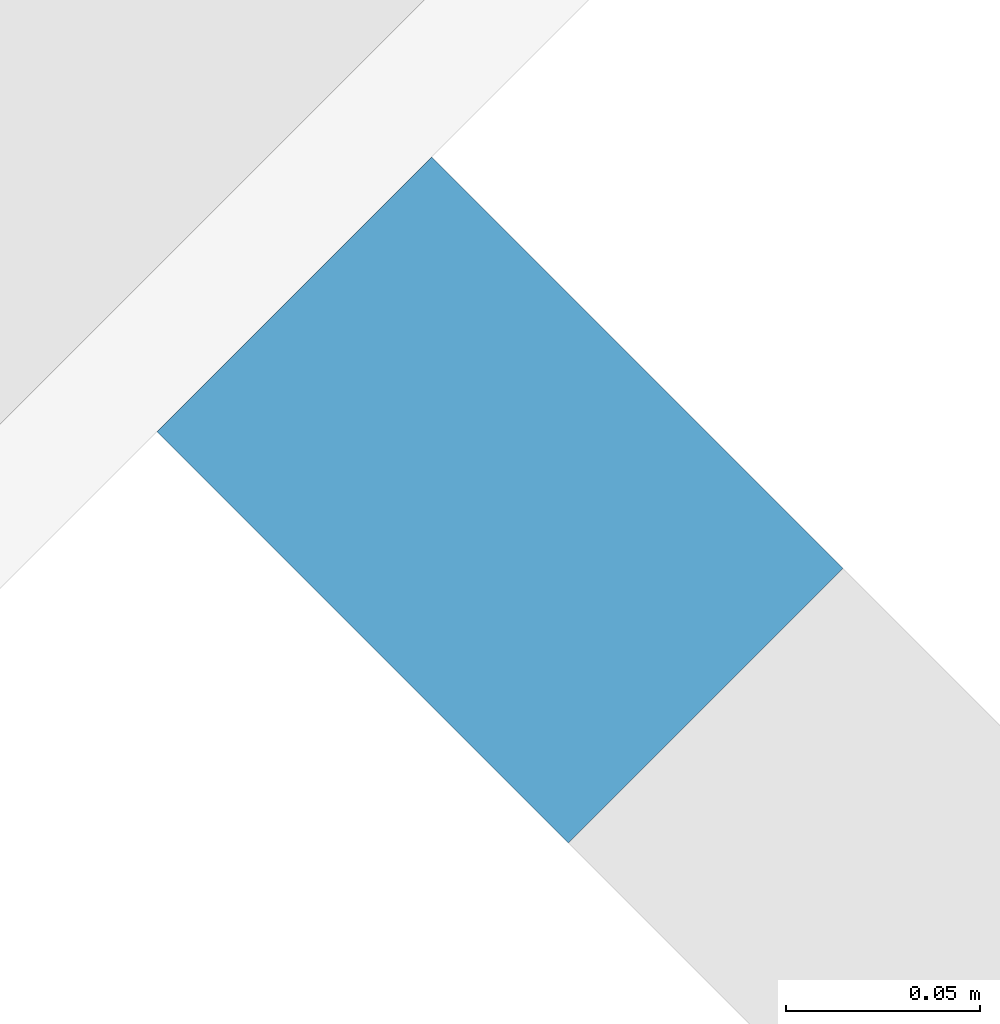
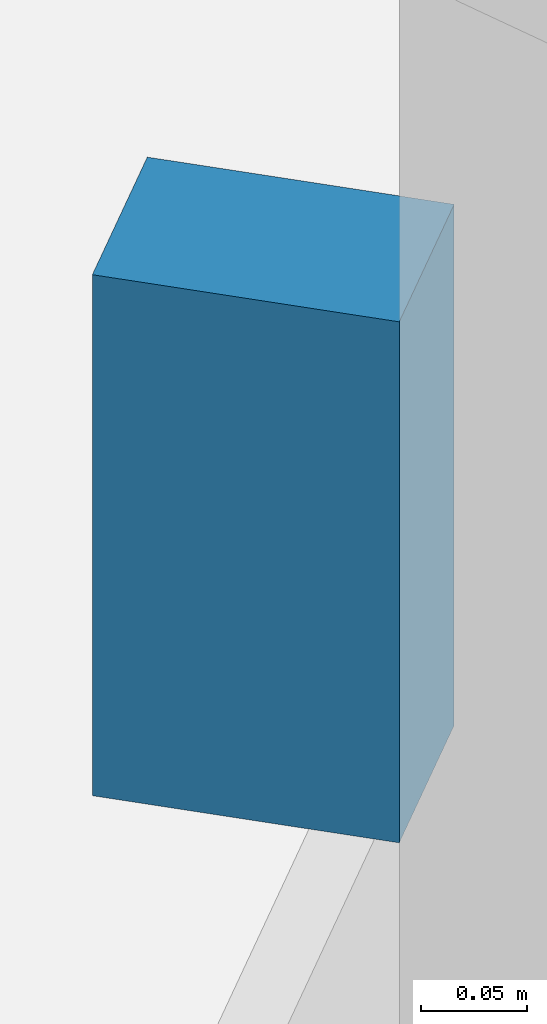
# One storey, part 10 of 32: 1 discrete accessory.
"""IFC4 building model written with IfcOpenShell, lengths in metres."""

from ifc_helpers import new_model, si_unit, direction, frame, origin, origin_2d, place, context, subcontext, project, spatial, rectangle, extrude, material, type_object, element, save


model = new_model("IFC4")

# Units and contexts
model_context = context("Model", 3, precision=1e-05, world=origin(), true_north=direction((0.0, 1.0)))
body_context = subcontext(model_context, "Body", "Model", "MODEL_VIEW")
ifc_project = project(units=[si_unit("LENGTHUNIT", "METRE"), si_unit("AREAUNIT", "SQUARE_METRE"), si_unit("VOLUMEUNIT", "CUBIC_METRE"), si_unit("PLANEANGLEUNIT", "RADIAN"), si_unit("MASSUNIT", "GRAM", prefix="KILO")], contexts=[model_context])

# Site, building, storey
site_placement = place(None, origin())
site = spatial("IfcSite", under=ifc_project, at=site_placement, CompositionType="ELEMENT")
building_placement = place(site_placement, origin())
building = spatial("IfcBuilding", under=site, at=building_placement, Name="Qamariyya Broadcast Tower", CompositionType="ELEMENT")
storey_placement = place(building_placement, frame((0.0, 0.0, 63.300048828125)))
storey = spatial("IfcBuildingStorey", under=building, at=storey_placement, Name="L12", CompositionType="ELEMENT", Elevation=63.300048828125)

# Discrete accessory
ifc_material = material(Name="Stainless steel 316", Category="steel")
discrete_accessory_type = type_object("IfcDiscreteAccessoryType", Name="Slab edge fixing angle, stainless steel", PredefinedType="BRACKET", material=ifc_material)
discrete_accessory_placement = place(storey_placement, frame((59.01611328125, -53.49072265625, 3.2998046875), z_axis=(0.0, 0.0, 1.0), x_axis=(0.707106781187, 0.707106781187, 0.0)))
element("IfcDiscreteAccessory", 1, at=discrete_accessory_placement, inside=storey, type_object=discrete_accessory_type, Name="e-br-L12-14-0", PredefinedType="BRACKET", context=body_context, shape_type="SweptSolid", body=[
    extrude(rectangle(XDim=0.10009765625, YDim=0.14990234375, at=origin_2d()), origin(), (0.0, 0.0, 1.0), 0.300048828125),
])

save(model, "model.ifc")
